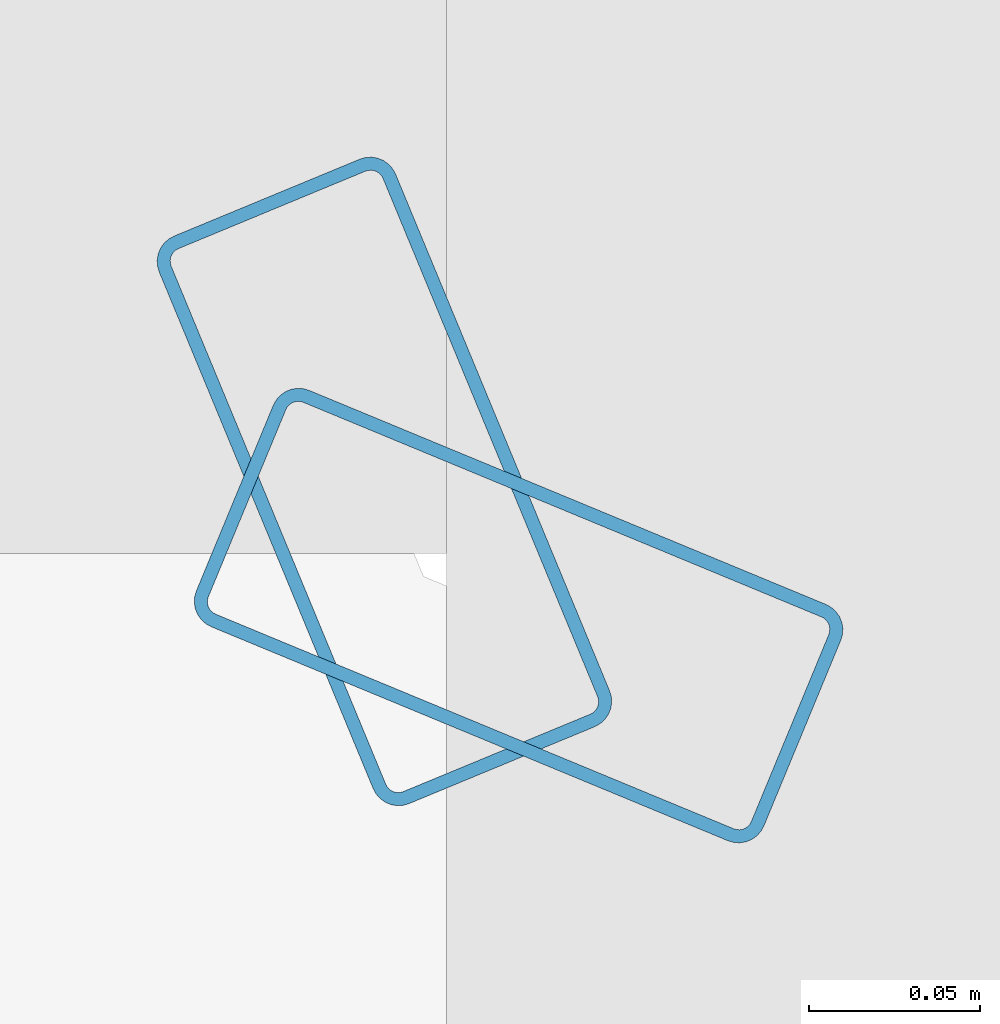
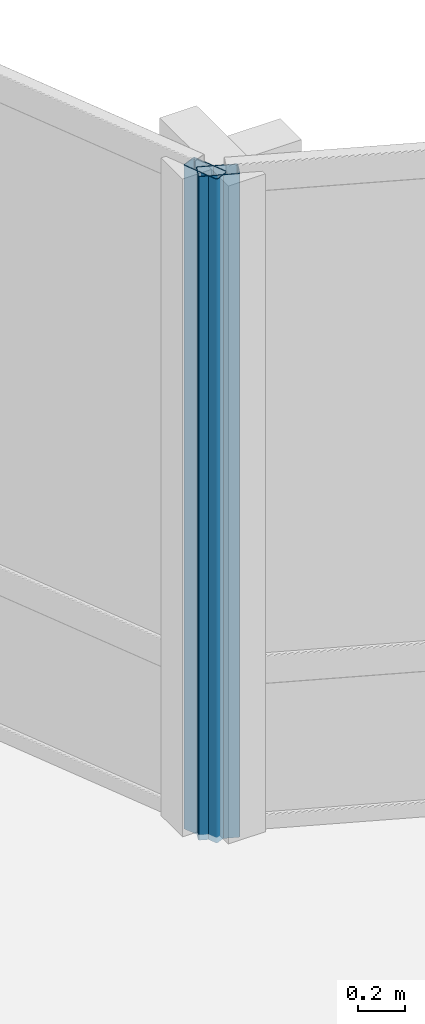
# One storey, part 8 of 29: 2 members, 2 elements without a shape of their own.
"""IFC4 building model written with IfcOpenShell, lengths in metres."""

from ifc_helpers import new_model, si_unit, direction, frame, origin, origin_2d, place, context, subcontext, project, spatial, hollow_rectangle, extrude, material, layer, layer_set, material_profile, profile_set, type_object, element, aggregate, save


model = new_model("IFC4")

# Units and contexts
model_context = context("Model", 3, precision=1e-05, world=origin(), true_north=direction((0.0, 1.0)))
body_context = subcontext(model_context, "Body", "Model", "MODEL_VIEW")
ifc_project = project(units=[si_unit("LENGTHUNIT", "METRE"), si_unit("AREAUNIT", "SQUARE_METRE"), si_unit("VOLUMEUNIT", "CUBIC_METRE"), si_unit("PLANEANGLEUNIT", "RADIAN"), si_unit("MASSUNIT", "GRAM", prefix="KILO")], contexts=[model_context])

# Site, building, storey
site_placement = place(None, origin())
site = spatial("IfcSite", under=ifc_project, at=site_placement, CompositionType="ELEMENT")
building_placement = place(site_placement, origin())
building = spatial("IfcBuilding", under=site, at=building_placement, Name="Solvaryn Broadcast Tower", CompositionType="ELEMENT")
storey_placement = place(building_placement, frame((0.0, 0.0, 124.800048828125)))
storey = spatial("IfcBuildingStorey", under=building, at=storey_placement, Name="L30", CompositionType="ELEMENT", Elevation=124.800048828125)

# Curtain wall, member
ifc_material_1 = material(Name="Aluminium and Terracotta Unitised Curtain Wall", Category="masonry")
ifc_layer = layer(ifc_material_1, 0.199951171875)
ifc_layer_set = layer_set([ifc_layer], Name="CW-SYS2-LOWMID")
curtain_wall_type = type_object("IfcCurtainWallType", Name="CW-SYS2-LOWMID", PredefinedType="NOTDEFINED", material=ifc_layer_set)
curtain_wall_1_placement = place(storey_placement, origin())
curtain_wall_1 = element("IfcCurtainWall", 1, at=curtain_wall_1_placement, inside=storey, type_object=curtain_wall_type, Name="L30 Curtain Wall CN1", PredefinedType="NOTDEFINED")
ifc_material_2 = material(Name="Anodised Aluminium 6063-T6", Category="aluminium")
ifc_material_profile = material_profile(ifc_material_2, hollow_rectangle(XDim=0.074951171875, YDim=0.179931640625, WallThickness=0.00390625, InnerFilletRadius=0.00390625, OuterFilletRadius=0.008056640625, at=origin_2d()))
ifc_profile_set = profile_set([ifc_material_profile], Name="Anodised Aluminium 6063-T6")
member_type = type_object("IfcMemberType", Name="CW-MUL-180", PredefinedType="MULLION", material=ifc_profile_set)
member_1_placement = place(storey_placement, frame((30.395751953125, 30.3564453125, 0.0), z_axis=(0.0, 0.0, 1.0), x_axis=(-0.382646127145, -0.923894983957, 0.0)))
member_1 = element("IfcMember", 2, at=member_1_placement, type_object=member_type, Name="CWS2 mullion 2", PredefinedType="MULLION", context=body_context, shape_type="SweptSolid", body=[
    extrude(hollow_rectangle(XDim=0.074951171875, YDim=0.179931640625, WallThickness=0.00390625, InnerFilletRadius=0.00390625, OuterFilletRadius=0.008056640625, at=origin_2d()), origin(), (0.0, 0.0, 1.0), 3.419921875),
])
aggregate(curtain_wall_1, [member_1])

curtain_wall_2_placement = place(storey_placement, origin())
curtain_wall_2 = element("IfcCurtainWall", 3, at=curtain_wall_2_placement, inside=storey, type_object=curtain_wall_type, Name="L30 Curtain Wall CN2", PredefinedType="NOTDEFINED")
member_2_placement = place(storey_placement, frame((30.3564453125, 30.395751953125, 0.0), z_axis=(0.0, 0.0, 1.0), x_axis=(-0.923894983957, -0.382646127145, 0.0)))
member_2 = element("IfcMember", 4, at=member_2_placement, type_object=member_type, Name="CWS2 mullion 1", PredefinedType="MULLION", context=body_context, shape_type="SweptSolid", body=[
    extrude(hollow_rectangle(XDim=0.074951171875, YDim=0.179931640625, WallThickness=0.00390625, InnerFilletRadius=0.00390625, OuterFilletRadius=0.008056640625, at=origin_2d()), origin(), (0.0, 0.0, 1.0), 3.419921875),
])
aggregate(curtain_wall_2, [member_2])

save(model, "model.ifc")
